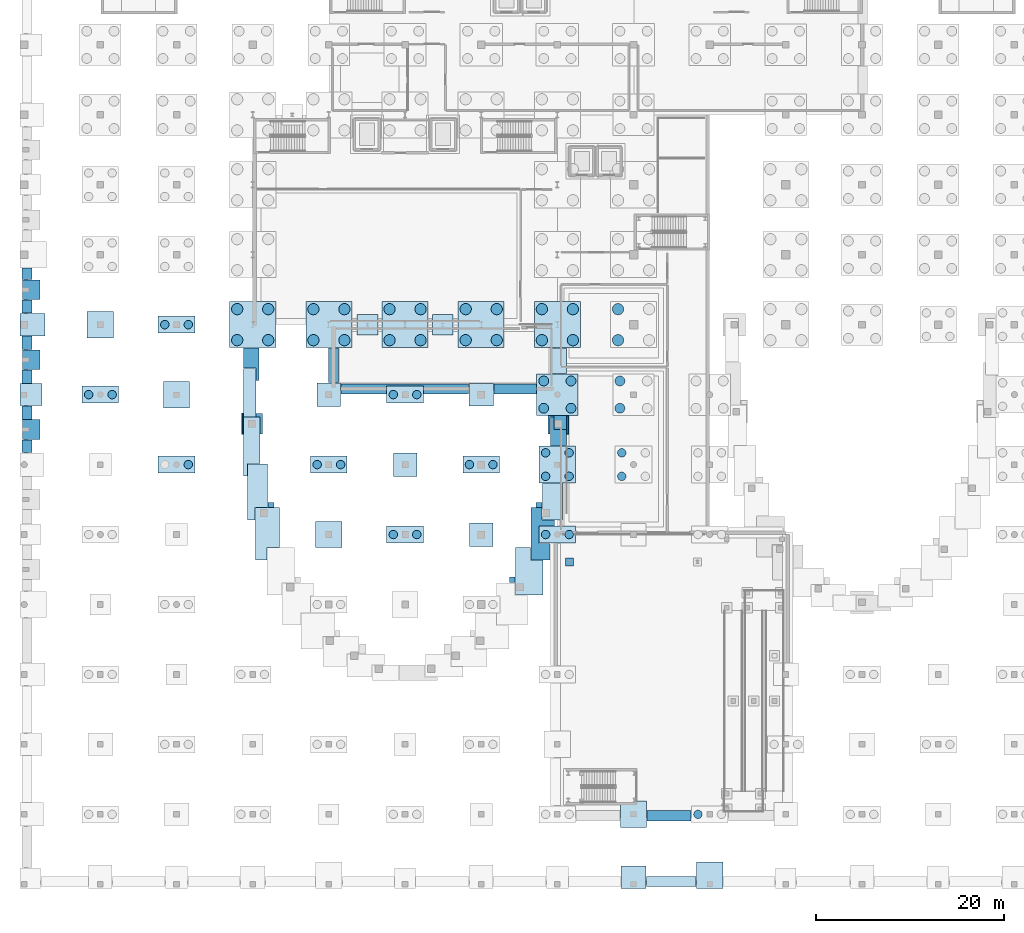
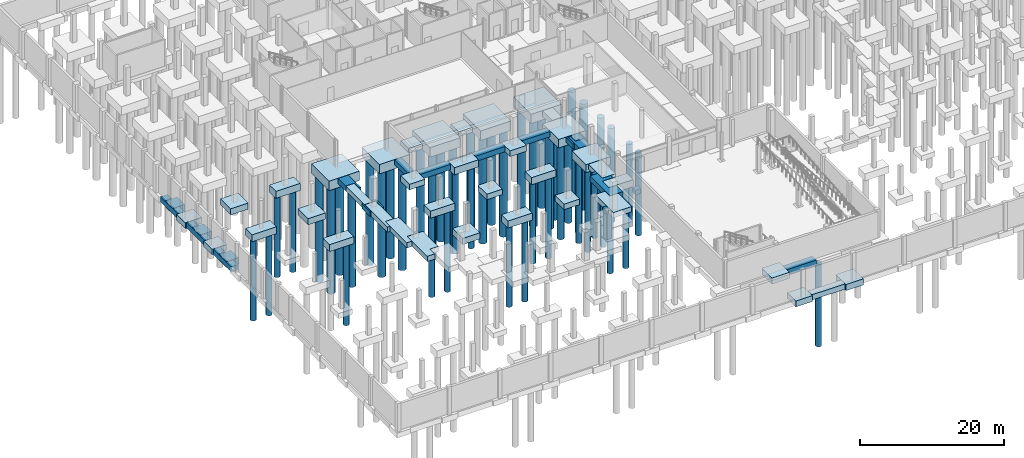
# One storey, part 2 of 37: 59 footings, 50 piles.
"""IFC4 building model written with IfcOpenShell, lengths in metres."""

from ifc_helpers import new_model, si_unit, direction, frame, origin, origin_2d, place, context, subcontext, project, spatial, polyline, rectangle, circle, outline, extrude, material, material_profile, profile_set, type_object, element, save


model = new_model("IFC4")

# Units and contexts
model_context = context("Model", 3, precision=1e-05, world=origin(), true_north=direction((0.0, 1.0)))
body_context = subcontext(model_context, "Body", "Model", "MODEL_VIEW")
ifc_project = project(units=[si_unit("LENGTHUNIT", "METRE"), si_unit("AREAUNIT", "SQUARE_METRE"), si_unit("VOLUMEUNIT", "CUBIC_METRE"), si_unit("PLANEANGLEUNIT", "RADIAN"), si_unit("MASSUNIT", "GRAM", prefix="KILO")], contexts=[model_context])

# Site, building, storey
site_placement = place(None, origin())
site = spatial("IfcSite", under=ifc_project, at=site_placement, CompositionType="ELEMENT")
building_placement = place(site_placement, origin())
building = spatial("IfcBuilding", under=site, at=building_placement, Name="Kaelora Sail Theatre", CompositionType="ELEMENT")
storey_placement = place(building_placement, frame((0.0, 0.0, -4.800048828125)))
storey = spatial("IfcBuildingStorey", under=building, at=storey_placement, Name="B1", CompositionType="ELEMENT", Elevation=-4.800048828125)

# Footings
ifc_material_1 = material(Name="Concrete C40/50", Category="concrete")
footing_type_1 = type_object("IfcFootingType", Name="STR-FTG-PC-2P", PredefinedType="PILE_CAP", material=ifc_material_1)
for number, where, z_axis, x_axis, name in (
    (1, (9.60009765625, 53.580078125, -1.19970703125), (0.0, 0.0, 1.0), (1.0, 0.0, 0.0), "Foundation 2/H"),
    (2, (17.699951171875, 46.139892578125, -1.19970703125), (0.0, 0.0, 1.0), (1.0, 0.0, 0.0), "Foundation 3/G"),
    (3, (17.699951171875, 61.02001953125, -1.19970703125), (0.0, 0.0, 1.0), (1.0, 0.0, 0.0), "Foundation 3/I"),
    (4, (33.89990234375, 46.139892578125, -1.19970703125), (0.0, 0.0, 1.0), (1.0, 0.0, 0.0), "Foundation 5/G"),
    (5, (42.0, 38.699951171875, -1.19970703125), (0.0, 0.0, 1.0), (1.0, 0.0, 0.0), "Foundation 6/F"),
    (6, (42.0, 53.580078125, -1.19970703125), (0.0, 0.0, 1.0), (1.0, 0.0, 0.0), "Foundation 6/H"),
    (7, (50.10009765625, 46.139892578125, -1.19970703125), (0.0, 0.0, 1.0), (1.0, 0.0, 0.0), "Foundation 7/G"),
    (8, (58.199951171875, 38.699951171875, -1.19970703125), (0.0, 0.0, 1.0), (1.0, 0.0, 0.0), "Foundation 8/F"),
):
    element("IfcFooting", number, at=place(storey_placement, frame(where, z_axis=z_axis, x_axis=x_axis)), inside=storey, type_object=footing_type_1, Name=name, PredefinedType="PILE_CAP", context=body_context, shape_type="SweptSolid", body=[
        extrude(rectangle(XDim=3.89990234375, YDim=1.800048828125, at=origin_2d()), origin(), (0.0, 0.0, 1.0), 1.199951171875),
    ])
ifc_material_2 = material(Name="Concrete C40/50", Category="concrete")
footing_type_2 = type_object("IfcFootingType", Name="STR-FTG-PC-4A", PredefinedType="PILE_CAP", material=ifc_material_2)
footing_1_placement = place(storey_placement, frame((58.199951171875, 46.139892578125, -1.35009765625), z_axis=(0.0, 0.0, 1.0), x_axis=(1.0, 0.0, 0.0)))
element("IfcFooting", 9, at=footing_1_placement, inside=storey, type_object=footing_type_2, Name="Foundation 8/G", PredefinedType="PILE_CAP", context=body_context, shape_type="SweptSolid", body=[
    extrude(rectangle(XDim=3.89990234375, YDim=3.89990234375, at=origin_2d()), origin(), (0.0, 0.0, 1.0), 1.35009765625),
])
ifc_material_3 = material(Name="Concrete C40/50", Category="concrete")
footing_type_3 = type_object("IfcFootingType", Name="STR-FTG-PC-4B", PredefinedType="PILE_CAP", material=ifc_material_3)
footing_2_placement = place(storey_placement, frame((58.199951171875, 53.580078125, -1.44970703125), z_axis=(0.0, 0.0, 1.0), x_axis=(1.0, 0.0, 0.0)))
element("IfcFooting", 10, at=footing_2_placement, inside=storey, type_object=footing_type_3, Name="Foundation 8/H", PredefinedType="PILE_CAP", context=body_context, shape_type="SweptSolid", body=[
    extrude(rectangle(XDim=4.39990234375, YDim=4.39990234375, at=origin_2d()), origin(), (0.0, 0.0, 1.0), 1.449951171875),
])
ifc_material_4 = material(Name="Concrete C40/50", Category="concrete")
footing_type_4 = type_object("IfcFootingType", Name="STR-FTG-PC-4D", PredefinedType="PILE_CAP", material=ifc_material_4)
for number, where, z_axis, x_axis, name in (
    (11, (25.800048828125, 61.02001953125, -1.60009765625), (0.0, 0.0, 1.0), (1.0, 0.0, 0.0), "Foundation 4/I"),
    (12, (33.89990234375, 61.02001953125, -1.60009765625), (0.0, 0.0, 1.0), (1.0, 0.0, 0.0), "Foundation 5/I"),
    (13, (42.0, 61.02001953125, -1.60009765625), (0.0, 0.0, 1.0), (1.0, 0.0, 0.0), "Foundation 6/I"),
    (14, (50.10009765625, 61.02001953125, -1.60009765625), (0.0, 0.0, 1.0), (1.0, 0.0, 0.0), "Foundation 7/I"),
    (15, (58.199951171875, 61.02001953125, -1.60009765625), (0.0, 0.0, 1.0), (1.0, 0.0, 0.0), "Foundation 8/I"),
):
    element("IfcFooting", number, at=place(storey_placement, frame(where, z_axis=z_axis, x_axis=x_axis)), inside=storey, type_object=footing_type_4, Name=name, PredefinedType="PILE_CAP", context=body_context, shape_type="SweptSolid", body=[
        extrude(rectangle(XDim=4.89990234375, YDim=4.89990234375, at=origin_2d()), origin(), (0.0, 0.0, 1.0), 1.60009765625),
    ])
ifc_material_5 = material(Name="Concrete C40/50", Category="concrete")
footing_type_5 = type_object("IfcFootingType", Name="STR-FTG-PF-1A", PredefinedType="PAD_FOOTING", material=ifc_material_5)
footing_3_placement = place(storey_placement, frame((0.0, 0.0, -0.849853515625)))
element("IfcFooting", 16, at=footing_3_placement, inside=storey, type_object=footing_type_5, Name="Main drum pier pad MK02", PredefinedType="PAD_FOOTING", context=body_context, shape_type="SweptSolid", body=[
    extrude(outline(polyline([(57.183837890625, 49.382568359375), (57.183837890625, 51.35009765625), (57.8369140625, 51.35009765625), (57.8369140625, 51.219482421875), (57.41650390625, 51.219482421875), (57.41650390625, 49.382568359375), (57.183837890625, 49.382568359375)])), origin(), (0.0, 0.0, 1.0), 0.849853515625),
])
footing_4_placement = place(storey_placement, frame((0.0, 0.0, -0.849853515625)))
element("IfcFooting", 17, at=footing_4_placement, inside=storey, type_object=footing_type_5, Name="Main drum pier pad MK02", PredefinedType="PAD_FOOTING", context=body_context, shape_type="SweptSolid", body=[
    extrude(outline(polyline([(59.3837890625, 49.382568359375), (59.197021484375, 49.382568359375), (59.197021484375, 49.859619140625), (59.22216796875, 49.859619140625), (59.22216796875, 51.35009765625), (59.3837890625, 51.35009765625), (59.3837890625, 49.382568359375)])), origin(), (0.0, 0.0, 1.0), 0.849853515625),
])
footing_5_placement = place(storey_placement, frame((0.0, 0.0, -0.849853515625)))
element("IfcFooting", 18, at=footing_5_placement, inside=storey, type_object=footing_type_5, Name="Main drum pier pad MK04", PredefinedType="PAD_FOOTING", context=body_context, shape_type="SweptSolid", body=[
    extrude(outline(polyline([(55.940185546875, 41.588134765625), (55.940185546875, 42.0908203125), (56.585693359375, 42.0908203125), (56.585693359375, 41.588134765625), (55.940185546875, 41.588134765625)])), origin(), (0.0, 0.0, 1.0), 0.849853515625),
])
footing_6_placement = place(storey_placement, frame((0.0, 0.0, -0.849853515625)))
element("IfcFooting", 19, at=footing_6_placement, inside=storey, type_object=footing_type_5, Name="Main drum pier pad MK06", PredefinedType="PAD_FOOTING", context=body_context, shape_type="SweptSolid", body=[
    extrude(outline(polyline([(53.128662109375, 34.18359375), (53.71044921875, 34.18359375), (53.71044921875, 33.586181640625), (53.128662109375, 33.586181640625), (53.128662109375, 34.18359375)])), origin(), (0.0, 0.0, 1.0), 0.849853515625),
])
footing_7_placement = place(storey_placement, frame((0.0, 0.0, -0.849853515625)))
element("IfcFooting", 20, at=footing_7_placement, inside=storey, type_object=footing_type_5, Name="Main drum pier pad MK18", PredefinedType="PAD_FOOTING", context=body_context, shape_type="SweptSolid", body=[
    extrude(outline(polyline([(27.414306640625, 42.0908203125), (28.059814453125, 42.0908203125), (28.059814453125, 41.588134765625), (27.414306640625, 41.588134765625), (27.414306640625, 42.0908203125)])), origin(), (0.0, 0.0, 1.0), 0.849853515625),
])
footing_8_placement = place(storey_placement, frame((0.0, 0.0, -0.849853515625)))
element("IfcFooting", 21, at=footing_8_placement, inside=storey, type_object=footing_type_5, Name="Main drum pier pad MK20", PredefinedType="PAD_FOOTING", context=body_context, shape_type="SweptSolid", body=[
    extrude(outline(polyline([(26.58349609375, 49.382568359375), (26.58349609375, 51.219482421875), (26.1630859375, 51.219482421875), (26.1630859375, 51.58251953125), (26.816162109375, 51.58251953125), (26.816162109375, 49.382568359375), (26.58349609375, 49.382568359375)])), origin(), (0.0, 0.0, 1.0), 0.849853515625),
])
footing_9_placement = place(storey_placement, frame((0.0, 0.0, -0.849853515625)))
element("IfcFooting", 22, at=footing_9_placement, inside=storey, type_object=footing_type_5, Name="Main drum pier pad MK20", PredefinedType="PAD_FOOTING", context=body_context, shape_type="SweptSolid", body=[
    extrude(outline(polyline([(24.802978515625, 51.189453125), (24.802978515625, 49.382568359375), (24.6162109375, 49.382568359375), (24.6162109375, 51.58251953125), (24.77783203125, 51.58251953125), (24.77783203125, 51.189453125), (24.802978515625, 51.189453125)])), origin(), (0.0, 0.0, 1.0), 0.849853515625),
])
for number, where, z_axis, x_axis, name in (
    (23, (38.0, 61.02001953125, -0.85009765625), (0.0, 0.0, 1.0), (1.0, 0.0, 0.0), "Substructure pier footing 05"),
    (24, (46.0, 61.02001953125, -0.85009765625), (0.0, 0.0, 1.0), (1.0, 0.0, 0.0), "Substructure pier footing 06"),
):
    element("IfcFooting", number, at=place(storey_placement, frame(where, z_axis=z_axis, x_axis=x_axis)), inside=storey, type_object=footing_type_5, Name=name, PredefinedType="PAD_FOOTING", context=body_context, shape_type="SweptSolid", body=[
        extrude(rectangle(XDim=2.199951171875, YDim=2.199951171875, at=origin_2d()), origin(), (0.0, 0.0, 1.0), 0.85009765625),
    ])
ifc_material_6 = material(Name="Concrete C40/50", Category="concrete")
footing_type_6 = type_object("IfcFootingType", Name="STR-FTG-PF-1B", PredefinedType="PAD_FOOTING", material=ifc_material_6)
for number, where, z_axis, x_axis, name in (
    (25, (33.89990234375, 53.580078125, -0.94970703125), (0.0, 0.0, 1.0), (1.0, 0.0, 0.0), "Foundation 5/H"),
    (26, (42.0, 46.139892578125, -0.94970703125), (0.0, 0.0, 1.0), (1.0, 0.0, 0.0), "Foundation 6/G"),
    (27, (50.10009765625, 38.699951171875, -0.94970703125), (0.0, 0.0, 1.0), (1.0, 0.0, 0.0), "Foundation 7/F"),
):
    element("IfcFooting", number, at=place(storey_placement, frame(where, z_axis=z_axis, x_axis=x_axis)), inside=storey, type_object=footing_type_6, Name=name, PredefinedType="PAD_FOOTING", context=body_context, shape_type="SweptSolid", body=[
        extrude(rectangle(XDim=2.5, YDim=2.5, at=origin_2d()), origin(), (0.0, 0.0, 1.0), 0.949951171875),
    ])
ifc_material_7 = material(Name="Concrete C40/50", Category="concrete")
footing_type_7 = type_object("IfcFootingType", Name="STR-FTG-PF-1C", PredefinedType="PAD_FOOTING", material=ifc_material_7)
for number, where, z_axis, x_axis, name in (
    (28, (2.25, 49.860107421875, -1.0), (0.0, 0.0, 1.0), (1.0, 0.0, 0.0), "W colonnade pilaster footing 06"),
    (29, (2.25, 57.300048828125, -1.0), (0.0, 0.0, 1.0), (1.0, 0.0, 0.0), "W colonnade pilaster footing 07"),
    (30, (2.25, 64.739990234375, -1.0), (0.0, 0.0, 1.0), (1.0, 0.0, 0.0), "W colonnade pilaster footing 08"),
):
    element("IfcFooting", number, at=place(storey_placement, frame(where, z_axis=z_axis, x_axis=x_axis)), inside=storey, type_object=footing_type_7, Name=name, PredefinedType="PAD_FOOTING", context=body_context, shape_type="SweptSolid", body=[
        extrude(rectangle(XDim=1.89990234375, YDim=2.10009765625, at=origin_2d()), origin(), (0.0, 0.0, 1.0), 1.0),
    ])
ifc_material_8 = material(Name="Concrete C40/50", Category="concrete")
footing_type_8 = type_object("IfcFootingType", Name="STR-FTG-PF-1D", PredefinedType="PAD_FOOTING", material=ifc_material_8)
footing_10_placement = place(storey_placement, frame((2.22509765625, 53.580078125, -0.89990234375), z_axis=(0.0, 0.0, 1.0), x_axis=(1.0, 0.0, 0.0)))
element("IfcFooting", 31, at=footing_10_placement, inside=storey, type_object=footing_type_8, Name="Foundation 1/H", PredefinedType="PAD_FOOTING", context=body_context, shape_type="SweptSolid", body=[
    extrude(rectangle(XDim=2.35009765625, YDim=2.35009765625, at=origin_2d()), origin(), (0.0, 0.0, 1.0), 0.89990234375),
])
ifc_material_9 = material(Name="Concrete C40/50", Category="concrete")
footing_type_9 = type_object("IfcFootingType", Name="STR-FTG-PF-1E", PredefinedType="PAD_FOOTING", material=ifc_material_9)
for number, where, z_axis, x_axis, name in (
    (32, (2.375, 61.02001953125, -1.0), (0.0, 0.0, 1.0), (1.0, 0.0, 0.0), "Foundation 1/I"),
    (33, (50.10009765625, 53.580078125, -1.0), (0.0, 0.0, 1.0), (1.0, 0.0, 0.0), "Foundation 7/H"),
    (34, (66.300048828125, 2.25, -1.0), (0.0, 0.0, 1.0), (1.0, 0.0, 0.0), "Foundation 9/A"),
):
    element("IfcFooting", number, at=place(storey_placement, frame(where, z_axis=z_axis, x_axis=x_axis)), inside=storey, type_object=footing_type_9, Name=name, PredefinedType="PAD_FOOTING", context=body_context, shape_type="SweptSolid", body=[
        extrude(rectangle(XDim=2.64990234375, YDim=2.39990234375, at=origin_2d()), origin(), (0.0, 0.0, 1.0), 1.0),
    ])
ifc_material_10 = material(Name="Concrete C40/50", Category="concrete")
footing_type_10 = type_object("IfcFootingType", Name="STR-FTG-PF-1F", PredefinedType="PAD_FOOTING", material=ifc_material_10)
for number, where, z_axis, x_axis, name in (
    (35, (9.60009765625, 61.02001953125, -1.0498046875), (0.0, 0.0, 1.0), (1.0, 0.0, 0.0), "Foundation 2/I"),
    (36, (17.699951171875, 53.580078125, -1.0498046875), (0.0, 0.0, 1.0), (1.0, 0.0, 0.0), "Foundation 3/H"),
    (37, (33.89990234375, 38.699951171875, -1.0498046875), (0.0, 0.0, 1.0), (1.0, 0.0, 0.0), "Foundation 5/F"),
    (38, (66.300048828125, 8.93994140625, -1.0498046875), (0.0, 0.0, 1.0), (1.0, 0.0, 0.0), "Foundation 9/B"),
    (39, (74.39990234375, 2.449951171875, -1.0498046875), (0.0, 0.0, 1.0), (1.0, 0.0, 0.0), "Foundation 10/A"),
):
    element("IfcFooting", number, at=place(storey_placement, frame(where, z_axis=z_axis, x_axis=x_axis)), inside=storey, type_object=footing_type_10, Name=name, PredefinedType="PAD_FOOTING", context=body_context, shape_type="SweptSolid", body=[
        extrude(rectangle(XDim=2.800048828125, YDim=2.800048828125, at=origin_2d()), origin(), (0.0, 0.0, 1.0), 1.050048828125),
    ])
ifc_material_11 = material(Name="Concrete C40/50", Category="concrete")
footing_type_11 = type_object("IfcFootingType", Name="STR-FTG-PF-APR", PredefinedType="PAD_FOOTING", material=ifc_material_11)
footing_11_placement = place(storey_placement, frame((59.5, 35.800048828125, -0.7998046875), z_axis=(0.0, 0.0, 1.0), x_axis=(1.0, 0.0, 0.0)))
element("IfcFooting", 40, at=footing_11_placement, inside=storey, type_object=footing_type_11, Name="Entrance canopy colonnade footing W", PredefinedType="PAD_FOOTING", context=body_context, shape_type="SweptSolid", body=[
    extrude(rectangle(XDim=0.85009765625, YDim=0.85009765625, at=origin_2d()), origin(), (0.0, 0.0, 1.0), 0.800048828125),
])
ifc_material_12 = material(Name="Concrete C40/50", Category="concrete")
footing_type_12 = type_object("IfcFootingType", Name="STR-GB-SF-DRM", PredefinedType="STRIP_FOOTING", material=ifc_material_12)
footing_12_placement = place(storey_placement, frame((0.0, 0.0, -0.89990234375)))
element("IfcFooting", 41, at=footing_12_placement, inside=storey, type_object=footing_type_12, Name="Perimeter plinth strip footing SF-PL-SC", PredefinedType="STRIP_FOOTING", context=body_context, shape_type="SweptSolid", body=[
    extrude(outline(polyline([(67.655029296875, 2.35009765625), (72.969970703125, 2.35009765625), (72.969970703125, 1.25), (67.655029296875, 1.25), (67.655029296875, 2.35009765625)])), origin(), (0.0, 0.0, 1.0), 0.89990234375),
])
footing_13_placement = place(storey_placement, frame((0.0, 0.0, -0.89990234375)))
element("IfcFooting", 42, at=footing_13_placement, inside=storey, type_object=footing_type_12, Name="Perimeter plinth strip footing SF-PL-W", PredefinedType="STRIP_FOOTING", context=body_context, shape_type="SweptSolid", body=[
    extrude(outline(polyline([(1.27001953125, 65.820068359375), (1.27001953125, 63.659912109375), (2.35009765625, 63.659912109375), (2.35009765625, 62.25), (1.25, 62.25), (1.25, 67.030029296875), (2.35009765625, 67.030029296875), (2.35009765625, 65.820068359375), (1.27001953125, 65.820068359375)])), origin(), (0.0, 0.0, 1.0), 0.89990234375),
])
footing_14_placement = place(storey_placement, frame((0.0, 0.0, -0.89990234375)))
element("IfcFooting", 43, at=footing_14_placement, inside=storey, type_object=footing_type_12, Name="Perimeter plinth strip footing SF-PL-W", PredefinedType="STRIP_FOOTING", context=body_context, shape_type="SweptSolid", body=[
    extrude(outline(polyline([(1.27001953125, 58.3798828125), (1.27001953125, 56.219970703125), (2.35009765625, 56.219970703125), (2.35009765625, 54.784912109375), (1.25, 54.784912109375), (1.25, 59.7900390625), (2.35009765625, 59.7900390625), (2.35009765625, 58.3798828125), (1.27001953125, 58.3798828125)])), origin(), (0.0, 0.0, 1.0), 0.89990234375),
])
footing_15_placement = place(storey_placement, frame((0.0, 0.0, -0.89990234375)))
element("IfcFooting", 44, at=footing_15_placement, inside=storey, type_object=footing_type_12, Name="Perimeter plinth strip footing SF-PL-W", PredefinedType="STRIP_FOOTING", context=body_context, shape_type="SweptSolid", body=[
    extrude(outline(polyline([(1.27001953125, 48.780029296875), (2.35009765625, 48.780029296875), (2.35009765625, 47.419921875), (1.25, 47.419921875), (1.25, 52.375), (2.35009765625, 52.375), (2.35009765625, 50.93994140625), (1.27001953125, 50.93994140625), (1.27001953125, 48.780029296875)])), origin(), (0.0, 0.0, 1.0), 0.89990234375),
])
footing_16_placement = place(storey_placement, frame((0.0, 0.0, -0.89990234375)))
element("IfcFooting", 45, at=footing_16_placement, inside=storey, type_object=footing_type_12, Name="Perimeter plinth strip footing SF-CT-S", PredefinedType="STRIP_FOOTING", context=body_context, shape_type="SweptSolid", body=[
    extrude(outline(polyline([(72.419921875, 9.35009765625), (72.419921875, 8.25), (67.72998046875, 8.25), (67.72998046875, 9.35009765625), (72.419921875, 9.35009765625)])), origin(), (0.0, 0.0, 1.0), 0.89990234375),
])
footing_17_placement = place(storey_placement, frame((0.0, 0.0, -0.89990234375)))
element("IfcFooting", 46, at=footing_17_placement, inside=storey, type_object=footing_type_12, Name="Perimeter plinth strip footing SF-OPIT-S", PredefinedType="STRIP_FOOTING", context=body_context, shape_type="SweptSolid", body=[
    extrude(outline(polyline([(35.179931640625, 54.699951171875), (48.7451171875, 54.699951171875), (48.7451171875, 53.64990234375), (43.97998046875, 53.64990234375), (43.97998046875, 54.510009765625), (40.02001953125, 54.510009765625), (40.02001953125, 53.64990234375), (35.179931640625, 53.64990234375), (35.179931640625, 54.699951171875)])), origin(), (0.0, 0.0, 1.0), 0.89990234375),
])
footing_18_placement = place(storey_placement, frame((0.0, 0.0, -0.89990234375)))
element("IfcFooting", 47, at=footing_18_placement, inside=storey, type_object=footing_type_12, Name="Perimeter plinth strip footing SF-OPIT-S", PredefinedType="STRIP_FOOTING", context=body_context, shape_type="SweptSolid", body=[
    extrude(outline(polyline([(51.455078125, 53.64990234375), (51.455078125, 54.699951171875), (55.969970703125, 54.699951171875), (55.969970703125, 53.64990234375), (51.455078125, 53.64990234375)])), origin(), (0.0, 0.0, 1.0), 0.89990234375),
])
footing_19_placement = place(storey_placement, frame((0.0, 0.0, -0.89990234375)))
element("IfcFooting", 48, at=footing_19_placement, inside=storey, type_object=footing_type_12, Name="Perimeter plinth strip footing SF-OPIT-W", PredefinedType="STRIP_FOOTING", context=body_context, shape_type="SweptSolid", body=[
    extrude(outline(polyline([(34.89990234375, 54.860107421875), (33.85009765625, 54.860107421875), (33.85009765625, 58.5400390625), (34.89990234375, 58.5400390625), (34.89990234375, 54.860107421875)])), origin(), (0.0, 0.0, 1.0), 0.89990234375),
])
footing_20_placement = place(storey_placement, frame((0.0, 0.0, -0.89990234375)))
element("IfcFooting", 49, at=footing_20_placement, inside=storey, type_object=footing_type_12, Name="Main Theatre Sail Drum chord strip footing 01", PredefinedType="STRIP_FOOTING", context=body_context, shape_type="SweptSolid", body=[
    extrude(outline(polyline([(57.550048828125, 58.5400390625), (59.192138671875, 58.5400390625), (59.192138671875, 55.81005859375), (57.550048828125, 55.81005859375), (57.550048828125, 58.5400390625)])), origin(), (0.0, 0.0, 1.0), 0.89990234375),
])
footing_21_placement = place(storey_placement, frame((0.0, 0.0, -0.89990234375)))
element("IfcFooting", 50, at=footing_21_placement, inside=storey, type_object=footing_type_12, Name="Main Theatre Sail Drum chord strip footing 02", PredefinedType="STRIP_FOOTING", context=body_context, shape_type="SweptSolid", body=[
    extrude(outline(polyline([(57.866943359375, 51.35009765625), (59.192138671875, 51.35009765625), (59.192138671875, 49.889404296875), (57.866943359375, 49.889404296875), (57.866943359375, 51.35009765625)])), origin(), (0.0, 0.0, 1.0), 0.89990234375),
])
footing_22_placement = place(storey_placement, frame((0.0, 0.0, -0.89990234375)))
element("IfcFooting", 51, at=footing_22_placement, inside=storey, type_object=footing_type_12, Name="Main Theatre Sail Drum chord strip footing 03", PredefinedType="STRIP_FOOTING", context=body_context, shape_type="SweptSolid", body=[
    extrude(outline(polyline([(59.1669921875, 48.1201171875), (57.4462890625, 48.1201171875), (57.4462890625, 51.189453125), (57.8369140625, 51.189453125), (57.8369140625, 49.859619140625), (59.1669921875, 49.859619140625), (59.1669921875, 48.1201171875)])), origin(), (0.0, 0.0, 1.0), 0.89990234375),
])
footing_23_placement = place(storey_placement, frame((0.0, 0.0, -0.89990234375)))
element("IfcFooting", 52, at=footing_23_placement, inside=storey, type_object=footing_type_12, Name="Main Theatre Sail Drum chord strip footing 04", PredefinedType="STRIP_FOOTING", context=body_context, shape_type="SweptSolid", body=[
    extrude(outline(polyline([(58.746337890625, 40.25830078125), (56.615478515625, 40.25830078125), (56.615478515625, 44.159912109375), (58.746337890625, 44.159912109375), (58.746337890625, 40.25830078125)])), origin(), (0.0, 0.0, 1.0), 0.89990234375),
])
footing_24_placement = place(storey_placement, frame((0.0, 0.0, -0.89990234375)))
element("IfcFooting", 53, at=footing_24_placement, inside=storey, type_object=footing_type_12, Name="Main Theatre Sail Drum chord strip footing 05", PredefinedType="STRIP_FOOTING", context=body_context, shape_type="SweptSolid", body=[
    extrude(outline(polyline([(55.374755859375, 36.00927734375), (55.374755859375, 41.55810546875), (56.585693359375, 41.55810546875), (56.585693359375, 40.228271484375), (57.91552734375, 40.228271484375), (57.91552734375, 39.6298828125), (56.219970703125, 39.6298828125), (56.219970703125, 37.77001953125), (57.419921875, 37.77001953125), (57.419921875, 36.00927734375), (55.374755859375, 36.00927734375)])), origin(), (0.0, 0.0, 1.0), 0.89990234375),
])
footing_25_placement = place(storey_placement, frame((0.0, 0.0, -0.89990234375)))
element("IfcFooting", 54, at=footing_25_placement, inside=storey, type_object=footing_type_12, Name="Main Theatre Sail Drum chord strip footing 06", PredefinedType="STRIP_FOOTING", context=body_context, shape_type="SweptSolid", body=[
    extrude(outline(polyline([(53.740478515625, 37.30908203125), (55.3447265625, 37.30908203125), (55.3447265625, 35.979248046875), (56.6748046875, 35.979248046875), (56.6748046875, 32.256103515625), (53.740478515625, 32.256103515625), (53.740478515625, 37.30908203125)])), origin(), (0.0, 0.0, 1.0), 0.89990234375),
])
footing_26_placement = place(storey_placement, frame((0.0, 0.0, -0.89990234375)))
element("IfcFooting", 55, at=footing_26_placement, inside=storey, type_object=footing_type_12, Name="Main Theatre Sail Drum chord strip footing 18", PredefinedType="STRIP_FOOTING", context=body_context, shape_type="SweptSolid", body=[
    extrude(outline(polyline([(26.08447265625, 41.55810546875), (28.625244140625, 41.55810546875), (28.625244140625, 37.339111328125), (27.295166015625, 37.339111328125), (27.295166015625, 36.00927734375), (26.08447265625, 36.00927734375), (26.08447265625, 41.55810546875)])), origin(), (0.0, 0.0, 1.0), 0.89990234375),
])
footing_27_placement = place(storey_placement, frame((0.0, 0.0, -0.89990234375)))
element("IfcFooting", 56, at=footing_27_placement, inside=storey, type_object=footing_type_12, Name="Main Theatre Sail Drum chord strip footing 19", PredefinedType="STRIP_FOOTING", context=body_context, shape_type="SweptSolid", body=[
    extrude(outline(polyline([(27.384521484375, 46.216552734375), (27.384521484375, 41.588134765625), (26.054443359375, 41.588134765625), (26.054443359375, 40.25830078125), (25.253662109375, 40.25830078125), (25.253662109375, 46.216552734375), (27.384521484375, 46.216552734375)])), origin(), (0.0, 0.0, 1.0), 0.89990234375),
])
footing_28_placement = place(storey_placement, frame((0.0, 0.0, -0.89990234375)))
element("IfcFooting", 57, at=footing_28_placement, inside=storey, type_object=footing_type_12, Name="Main Theatre Sail Drum chord strip footing 20", PredefinedType="STRIP_FOOTING", context=body_context, shape_type="SweptSolid", body=[
    extrude(outline(polyline([(26.5537109375, 46.24658203125), (25.2236328125, 46.24658203125), (25.2236328125, 44.91650390625), (24.8330078125, 44.91650390625), (24.8330078125, 51.189453125), (26.5537109375, 51.189453125), (26.5537109375, 46.24658203125)])), origin(), (0.0, 0.0, 1.0), 0.89990234375),
])
footing_29_placement = place(storey_placement, frame((0.0, 0.0, -0.89990234375)))
element("IfcFooting", 58, at=footing_29_placement, inside=storey, type_object=footing_type_12, Name="Main Theatre Sail Drum chord strip footing 21", PredefinedType="STRIP_FOOTING", context=body_context, shape_type="SweptSolid", body=[
    extrude(outline(polyline([(24.807861328125, 56.3759765625), (26.133056640625, 56.3759765625), (26.133056640625, 51.219482421875), (24.807861328125, 51.219482421875), (24.807861328125, 56.3759765625)])), origin(), (0.0, 0.0, 1.0), 0.89990234375),
])
footing_30_placement = place(storey_placement, frame((0.0, 0.0, -0.89990234375)))
element("IfcFooting", 59, at=footing_30_placement, inside=storey, type_object=footing_type_12, Name="Main Theatre Sail Drum chord strip footing 22", PredefinedType="STRIP_FOOTING", context=body_context, shape_type="SweptSolid", body=[
    extrude(outline(polyline([(24.807861328125, 58.5400390625), (26.449951171875, 58.5400390625), (26.449951171875, 55.075927734375), (26.1630859375, 55.075927734375), (26.1630859375, 56.406005859375), (24.807861328125, 56.406005859375), (24.807861328125, 58.5400390625)])), origin(), (0.0, 0.0, 1.0), 0.89990234375),
])

# Piles
ifc_material_13 = material(Name="Concrete C40/50", Category="concrete")
ifc_material_profile_1 = material_profile(ifc_material_13, circle(Radius=0.52490234375, at=origin_2d()), Name="PILE D1050")
ifc_profile_set_1 = profile_set([ifc_material_profile_1], Name="Concrete C40/50")
pile_type_1 = type_object("IfcPileType", Name="STR-PILE-PL-1050", PredefinedType="BORED", material=ifc_profile_set_1)
for number, where, z_axis, x_axis, name in (
    (60, (56.75, 52.1298828125, -1.349853515625), (0.0, 0.0, -1.0), (1.0, 0.0, 0.0), "Bored pile 8/H P1"),
    (61, (59.64990234375, 52.1298828125, -1.349853515625), (0.0, 0.0, -1.0), (1.0, 0.0, 0.0), "Bored pile 8/H P2"),
    (62, (56.75, 55.030029296875, -1.349853515625), (0.0, 0.0, -1.0), (1.0, 0.0, 0.0), "Bored pile 8/H P3"),
    (63, (59.64990234375, 55.030029296875, -1.349853515625), (0.0, 0.0, -1.0), (1.0, 0.0, 0.0), "Bored pile 8/H P4"),
    (64, (64.85009765625, 52.1298828125, -1.349853515625), (0.0, 0.0, -1.0), (1.0, 0.0, 0.0), "Bored pile 9/H P1"),
    (65, (64.85009765625, 55.030029296875, -1.349853515625), (0.0, 0.0, -1.0), (1.0, 0.0, 0.0), "Bored pile 9/H P3"),
):
    element("IfcPile", number, at=place(storey_placement, frame(where, z_axis=z_axis, x_axis=x_axis)), inside=storey, type_object=pile_type_1, Name=name, PredefinedType="BORED", context=body_context, shape_type="SweptSolid", body=[
        extrude(circle(Radius=0.52490234375, at=origin_2d()), origin(), (0.0, 0.0, 1.0), 16.0),
    ])
ifc_material_14 = material(Name="Concrete C40/50", Category="concrete")
ifc_material_profile_2 = material_profile(ifc_material_14, circle(Radius=0.60009765625, at=origin_2d()), Name="PILE D1200")
ifc_profile_set_2 = profile_set([ifc_material_profile_2], Name="Concrete C40/50")
pile_type_2 = type_object("IfcPileType", Name="STR-PILE-PL-1200", PredefinedType="BORED", material=ifc_profile_set_2)
for number, where, z_axis, x_axis, name in (
    (66, (24.14990234375, 59.3701171875, -1.5), (0.0, 0.0, -1.0), (1.0, 0.0, 0.0), "Bored pile 4/I P1"),
    (67, (27.449951171875, 59.3701171875, -1.5), (0.0, 0.0, -1.0), (1.0, 0.0, 0.0), "Bored pile 4/I P2"),
    (68, (24.14990234375, 62.669921875, -1.5), (0.0, 0.0, -1.0), (1.0, 0.0, 0.0), "Bored pile 4/I P3"),
    (69, (27.449951171875, 62.669921875, -1.5), (0.0, 0.0, -1.0), (1.0, 0.0, 0.0), "Bored pile 4/I P4"),
    (70, (32.25, 59.3701171875, -1.5), (0.0, 0.0, -1.0), (1.0, 0.0, 0.0), "Bored pile 5/I P1"),
    (71, (35.550048828125, 59.3701171875, -1.5), (0.0, 0.0, -1.0), (1.0, 0.0, 0.0), "Bored pile 5/I P2"),
    (72, (32.25, 62.669921875, -1.5), (0.0, 0.0, -1.0), (1.0, 0.0, 0.0), "Bored pile 5/I P3"),
    (73, (35.550048828125, 62.669921875, -1.5), (0.0, 0.0, -1.0), (1.0, 0.0, 0.0), "Bored pile 5/I P4"),
    (74, (40.35009765625, 59.3701171875, -1.5), (0.0, 0.0, -1.0), (1.0, 0.0, 0.0), "Bored pile 6/I P1"),
    (75, (43.64990234375, 59.3701171875, -1.5), (0.0, 0.0, -1.0), (1.0, 0.0, 0.0), "Bored pile 6/I P2"),
    (76, (40.35009765625, 62.669921875, -1.5), (0.0, 0.0, -1.0), (1.0, 0.0, 0.0), "Bored pile 6/I P3"),
    (77, (43.64990234375, 62.669921875, -1.5), (0.0, 0.0, -1.0), (1.0, 0.0, 0.0), "Bored pile 6/I P4"),
    (78, (48.449951171875, 59.3701171875, -1.5), (0.0, 0.0, -1.0), (1.0, 0.0, 0.0), "Bored pile 7/I P1"),
    (79, (51.75, 59.3701171875, -1.5), (0.0, 0.0, -1.0), (1.0, 0.0, 0.0), "Bored pile 7/I P2"),
    (80, (48.449951171875, 62.669921875, -1.5), (0.0, 0.0, -1.0), (1.0, 0.0, 0.0), "Bored pile 7/I P3"),
    (81, (51.75, 62.669921875, -1.5), (0.0, 0.0, -1.0), (1.0, 0.0, 0.0), "Bored pile 7/I P4"),
    (82, (56.550048828125, 59.3701171875, -1.5), (0.0, 0.0, -1.0), (1.0, 0.0, 0.0), "Bored pile 8/I P1"),
    (83, (59.85009765625, 59.3701171875, -1.5), (0.0, 0.0, -1.0), (1.0, 0.0, 0.0), "Bored pile 8/I P2"),
    (84, (56.550048828125, 62.669921875, -1.5), (0.0, 0.0, -1.0), (1.0, 0.0, 0.0), "Bored pile 8/I P3"),
    (85, (59.85009765625, 62.669921875, -1.5), (0.0, 0.0, -1.0), (1.0, 0.0, 0.0), "Bored pile 8/I P4"),
    (86, (64.64990234375, 59.3701171875, -1.5), (0.0, 0.0, -1.0), (1.0, 0.0, 0.0), "Bored pile 9/I P1"),
    (87, (64.64990234375, 62.669921875, -1.5), (0.0, 0.0, -1.0), (1.0, 0.0, 0.0), "Bored pile 9/I P3"),
):
    element("IfcPile", number, at=place(storey_placement, frame(where, z_axis=z_axis, x_axis=x_axis)), inside=storey, type_object=pile_type_2, Name=name, PredefinedType="BORED", context=body_context, shape_type="SweptSolid", body=[
        extrude(circle(Radius=0.60009765625, at=origin_2d()), origin(), (0.0, 0.0, 1.0), 18.0),
    ])
ifc_material_15 = material(Name="Concrete C40/50", Category="concrete")
ifc_material_profile_3 = material_profile(ifc_material_15, circle(Radius=0.449951171875, at=origin_2d()), Name="PILE D900")
ifc_profile_set_3 = profile_set([ifc_material_profile_3], Name="Concrete C40/50")
pile_type_3 = type_object("IfcPileType", Name="STR-PILE-PL-900", PredefinedType="BORED", material=ifc_profile_set_3)
for number, where, z_axis, x_axis, name in (
    (88, (8.35009765625, 53.580078125, -1.099853515625), (0.0, 0.0, -1.0), (1.0, 0.0, 0.0), "Bored pile 2/H P1"),
    (89, (10.85009765625, 53.580078125, -1.099853515625), (0.0, 0.0, -1.0), (1.0, 0.0, 0.0), "Bored pile 2/H P2"),
    (90, (18.949951171875, 46.139892578125, -1.099853515625), (0.0, 0.0, -1.0), (1.0, 0.0, 0.0), "Bored pile 3/G P2"),
    (91, (16.449951171875, 61.02001953125, -1.099853515625), (0.0, 0.0, -1.0), (1.0, 0.0, 0.0), "Bored pile 3/I P1"),
    (92, (18.949951171875, 61.02001953125, -1.099853515625), (0.0, 0.0, -1.0), (1.0, 0.0, 0.0), "Bored pile 3/I P2"),
    (93, (32.64990234375, 46.139892578125, -1.099853515625), (0.0, 0.0, -1.0), (1.0, 0.0, 0.0), "Bored pile 5/G P1"),
    (94, (35.14990234375, 46.139892578125, -1.099853515625), (0.0, 0.0, -1.0), (1.0, 0.0, 0.0), "Bored pile 5/G P2"),
    (95, (40.75, 38.699951171875, -1.099853515625), (0.0, 0.0, -1.0), (1.0, 0.0, 0.0), "Bored pile 6/F P1"),
    (96, (43.25, 38.699951171875, -1.099853515625), (0.0, 0.0, -1.0), (1.0, 0.0, 0.0), "Bored pile 6/F P2"),
    (97, (40.75, 53.580078125, -1.099853515625), (0.0, 0.0, -1.0), (1.0, 0.0, 0.0), "Bored pile 6/H P1"),
    (98, (43.25, 53.580078125, -1.099853515625), (0.0, 0.0, -1.0), (1.0, 0.0, 0.0), "Bored pile 6/H P2"),
    (99, (48.85009765625, 46.139892578125, -1.099853515625), (0.0, 0.0, -1.0), (1.0, 0.0, 0.0), "Bored pile 7/G P1"),
    (100, (51.35009765625, 46.139892578125, -1.099853515625), (0.0, 0.0, -1.0), (1.0, 0.0, 0.0), "Bored pile 7/G P2"),
    (101, (56.949951171875, 38.699951171875, -1.099853515625), (0.0, 0.0, -1.0), (1.0, 0.0, 0.0), "Bored pile 8/F P1"),
    (102, (59.449951171875, 38.699951171875, -1.099853515625), (0.0, 0.0, -1.0), (1.0, 0.0, 0.0), "Bored pile 8/F P2"),
    (103, (56.949951171875, 44.889892578125, -1.25), (0.0, 0.0, -1.0), (1.0, 0.0, 0.0), "Bored pile 8/G P1"),
    (104, (59.449951171875, 44.889892578125, -1.25), (0.0, 0.0, -1.0), (1.0, 0.0, 0.0), "Bored pile 8/G P2"),
    (105, (56.949951171875, 47.389892578125, -1.25), (0.0, 0.0, -1.0), (1.0, 0.0, 0.0), "Bored pile 8/G P3"),
    (106, (59.449951171875, 47.389892578125, -1.25), (0.0, 0.0, -1.0), (1.0, 0.0, 0.0), "Bored pile 8/G P4"),
    (107, (65.050048828125, 44.889892578125, -1.25), (0.0, 0.0, -1.0), (1.0, 0.0, 0.0), "Bored pile 9/G P1"),
    (108, (65.050048828125, 47.389892578125, -1.25), (0.0, 0.0, -1.0), (1.0, 0.0, 0.0), "Bored pile 9/G P3"),
    (109, (73.14990234375, 8.93994140625, -1.099853515625), (0.0, 0.0, -1.0), (1.0, 0.0, 0.0), "Bored pile 10/B P1"),
):
    element("IfcPile", number, at=place(storey_placement, frame(where, z_axis=z_axis, x_axis=x_axis)), inside=storey, type_object=pile_type_3, Name=name, PredefinedType="BORED", context=body_context, shape_type="SweptSolid", body=[
        extrude(circle(Radius=0.449951171875, at=origin_2d()), origin(), (0.0, 0.0, 1.0), 14.0),
    ])

save(model, "model.ifc")
